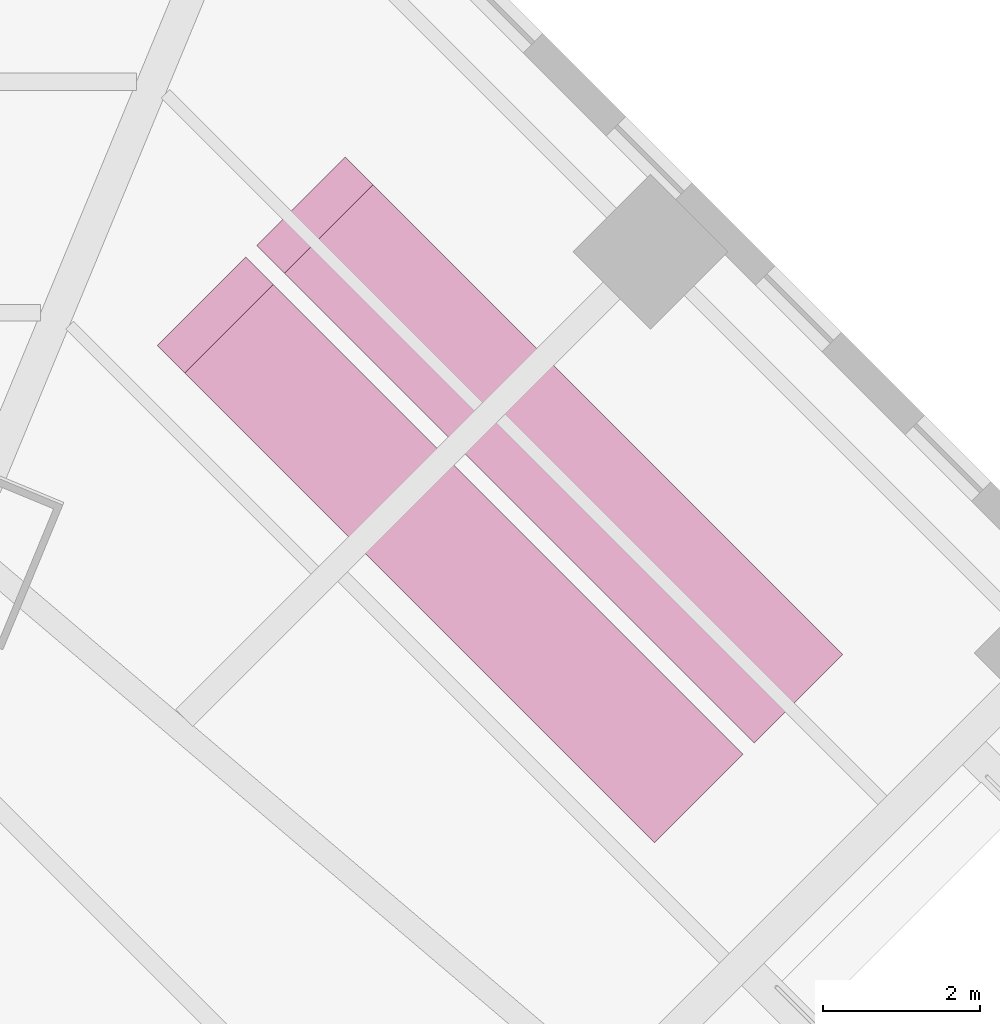
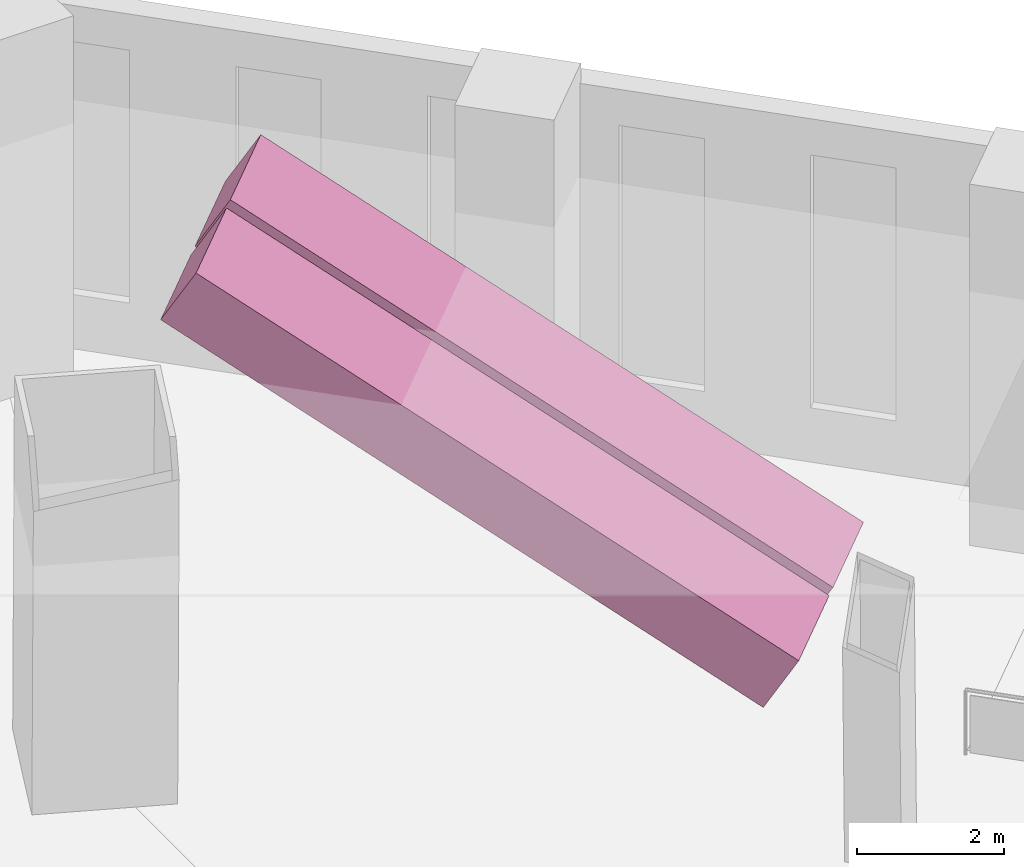
# One storey, part 20 of 20: 2 transport elements.
"""IFC4 building model written with IfcOpenShell, lengths in metres."""

from ifc_helpers import new_model, si_unit, direction, frame, origin, origin_2d, place, context, subcontext, project, spatial, rectangle, extrude, material, type_object, element, save


model = new_model("IFC4")

# Units and contexts
model_context = context("Model", 3, precision=1e-05, world=origin(), true_north=direction((0.0, 1.0)))
body_context = subcontext(model_context, "Body", "Model", "MODEL_VIEW")
ifc_project = project(units=[si_unit("LENGTHUNIT", "METRE"), si_unit("AREAUNIT", "SQUARE_METRE"), si_unit("VOLUMEUNIT", "CUBIC_METRE"), si_unit("PLANEANGLEUNIT", "RADIAN"), si_unit("MASSUNIT", "GRAM", prefix="KILO")], contexts=[model_context])

# Site, building, storey
site_placement = place(None, origin())
site = spatial("IfcSite", under=ifc_project, at=site_placement, CompositionType="ELEMENT")
building_placement = place(site_placement, origin())
building = spatial("IfcBuilding", under=site, at=building_placement, Name="Mashrafa Tower", CompositionType="ELEMENT")
storey_placement = place(building_placement, frame((0.0, 0.0, 7.199951171875)))
storey = spatial("IfcBuildingStorey", under=building, at=storey_placement, Name="L01", CompositionType="ELEMENT", Elevation=7.199951171875)

# Transport elements
ifc_material = material(Name="Steel escalator truss", Category="steel")
transport_element_type = type_object("IfcTransportElementType", Name="Escalator 1000 step 30 degree", PredefinedType="ESCALATOR", material=ifc_material)
for number, where, z_axis, x_axis, name in (
    (1, (20.06591796875, 23.067626953125, 0.550048828125), (-0.612374742777, 0.612374742777, 0.499994348787), (-0.707106781187, -0.707106781187, 0.0), "Escalator L01 to L02 up"),
    (2, (21.338623046875, 24.340576171875, 0.550048828125), (-0.612374742777, 0.612374742777, 0.499994348787), (-0.707106781187, -0.707106781187, 0.0), "Escalator L01 to L02 down"),
):
    element("IfcTransportElement", number, at=place(storey_placement, frame(where, z_axis=z_axis, x_axis=x_axis)), inside=storey, type_object=transport_element_type, Name=name, PredefinedType="ESCALATOR", context=body_context, shape_type="SweptSolid", body=[
        extrude(rectangle(XDim=1.60009765625, YDim=1.0, at=origin_2d()), origin(), (0.0, 0.0, 1.0), 9.7998046875),
    ])

save(model, "model.ifc")
